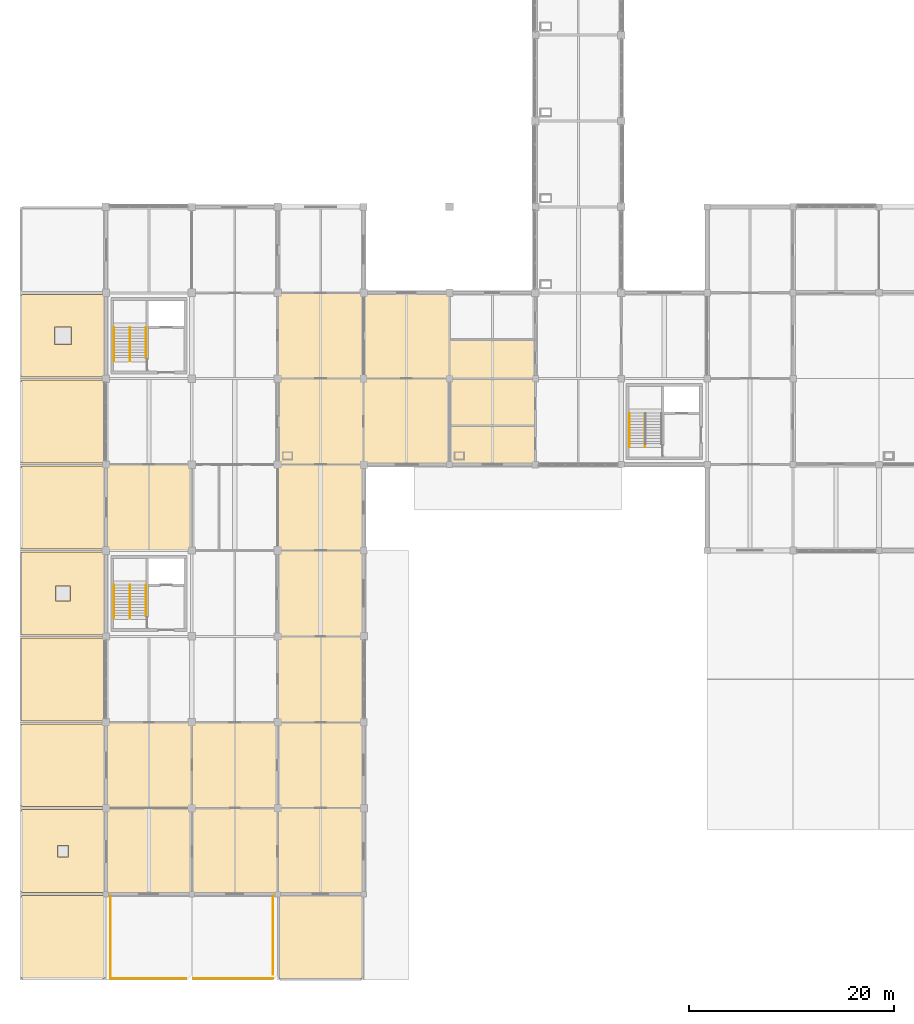
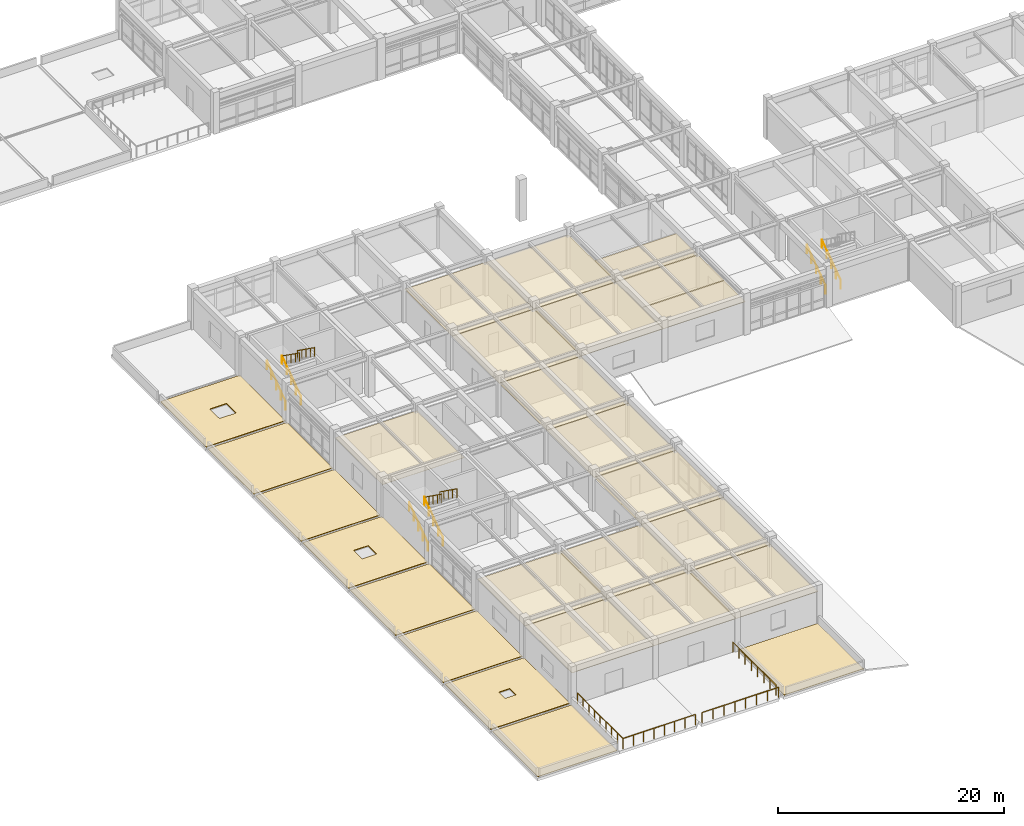
# One storey, part 75 of 78: 26 coverings, 14 railings.
"""IFC4 building model written with IfcOpenShell, lengths in metres."""

from ifc_helpers import new_model, si_unit, direction, frame, origin, origin_2d, place, context, subcontext, project, spatial, polyline, circle, outline, extrude, material, layer, layer_set, type_object, element, save


model = new_model("IFC4")

# Units and contexts
model_context = context("Model", 3, precision=1e-05, world=origin(), true_north=direction((0.0, 1.0)))
body_context = subcontext(model_context, "Body", "Model", "MODEL_VIEW")
ifc_project = project(units=[si_unit("LENGTHUNIT", "METRE"), si_unit("AREAUNIT", "SQUARE_METRE"), si_unit("VOLUMEUNIT", "CUBIC_METRE"), si_unit("PLANEANGLEUNIT", "RADIAN"), si_unit("MASSUNIT", "GRAM", prefix="KILO")], contexts=[model_context])

# Site, building, storey
site_placement = place(None, origin())
site = spatial("IfcSite", under=ifc_project, at=site_placement, CompositionType="ELEMENT")
building_placement = place(site_placement, origin())
building = spatial("IfcBuilding", under=site, at=building_placement, Name="Porcellanite Civic Hall", CompositionType="ELEMENT")
storey_placement = place(building_placement, frame((0.0, 0.0, 10.260009765625)))
storey = spatial("IfcBuildingStorey", under=building, at=storey_placement, Name="L02", CompositionType="ELEMENT", Elevation=10.260009765625)

# Coverings
ifc_material_1 = material(Name="Perforated acoustic mineral-fibre and spotted-gum batten ceiling")
ifc_layer_1 = layer(ifc_material_1, 0.034912109375)
ifc_layer_set_1 = layer_set([ifc_layer_1], Name="Perforated acoustic mineral-fibre and spotted-gum batten ceiling")
covering_type_1 = type_object("IfcCoveringType", Name="COV-CL2", PredefinedType="CEILING", material=ifc_layer_set_1)
covering_1_placement = place(storey_placement, frame((0.0, 0.0, 3.3349609375)))
element("IfcCovering", 1, at=covering_1_placement, inside=storey, type_object=covering_type_1, Name="Acoustic ceiling Standing Committee Suite L02-A", PredefinedType="CEILING", context=body_context, shape_type="SweptSolid", body=[
    extrude(outline(polyline([(42.010009765625, 50.409912109375), (50.389892578125, 50.409912109375), (50.389892578125, 54.18994140625), (42.010009765625, 54.18994140625), (42.010009765625, 50.409912109375)])), origin(), (0.0, 0.0, 1.0), 0.034912109375),
])
covering_2_placement = place(storey_placement, frame((0.0, 0.0, 3.3349609375)))
element("IfcCovering", 2, at=covering_2_placement, inside=storey, type_object=covering_type_1, Name="Acoustic ceiling Parliamentary Counsel Office L02-B", PredefinedType="CEILING", context=body_context, shape_type="SweptSolid", body=[
    extrude(outline(polyline([(42.010009765625, 54.2099609375), (50.389892578125, 54.2099609375), (50.389892578125, 58.7900390625), (42.010009765625, 58.7900390625), (42.010009765625, 54.2099609375)])), origin(), (0.0, 0.0, 1.0), 0.034912109375),
])
covering_3_placement = place(storey_placement, frame((0.0, 0.0, 3.3349609375)))
element("IfcCovering", 3, at=covering_3_placement, inside=storey, type_object=covering_type_1, Name="Acoustic ceiling Municipal Governance Office L02-A", PredefinedType="CEILING", context=body_context, shape_type="SweptSolid", body=[
    extrude(outline(polyline([(42.010009765625, 58.81005859375), (50.389892578125, 58.81005859375), (50.389892578125, 62.590087890625), (42.010009765625, 62.590087890625), (42.010009765625, 58.81005859375)])), origin(), (0.0, 0.0, 1.0), 0.034912109375),
])
covering_4_placement = place(storey_placement, frame((0.0, 0.0, 3.3349609375)))
element("IfcCovering", 4, at=covering_4_placement, inside=storey, type_object=covering_type_1, Name="Acoustic ceiling Hansard Witness Room L02-01", PredefinedType="CEILING", context=body_context, shape_type="SweptSolid", body=[
    extrude(outline(polyline([(8.409912109375, 8.409912109375), (16.7900390625, 8.409912109375), (16.7900390625, 16.7900390625), (8.409912109375, 16.7900390625), (8.409912109375, 8.409912109375)])), origin(), (0.0, 0.0, 1.0), 0.034912109375),
])
covering_5_placement = place(storey_placement, frame((0.0, 0.0, 3.3349609375)))
element("IfcCovering", 5, at=covering_5_placement, inside=storey, type_object=covering_type_1, Name="Acoustic ceiling Standing Committee Suite L02-02", PredefinedType="CEILING", context=body_context, shape_type="SweptSolid", body=[
    extrude(outline(polyline([(8.409912109375, 16.81005859375), (16.7900390625, 16.81005859375), (16.7900390625, 25.18994140625), (8.409912109375, 25.18994140625), (8.409912109375, 16.81005859375)])), origin(), (0.0, 0.0, 1.0), 0.034912109375),
])
covering_6_placement = place(storey_placement, frame((0.0, 0.0, 3.3349609375)))
element("IfcCovering", 6, at=covering_6_placement, inside=storey, type_object=covering_type_1, Name="Acoustic ceiling Standing Committee Suite L02-04", PredefinedType="CEILING", context=body_context, shape_type="SweptSolid", body=[
    extrude(outline(polyline([(8.409912109375, 42.010009765625), (16.7900390625, 42.010009765625), (16.7900390625, 50.389892578125), (8.409912109375, 50.389892578125), (8.409912109375, 42.010009765625)])), origin(), (0.0, 0.0, 1.0), 0.034912109375),
])
covering_7_placement = place(storey_placement, frame((0.0, 0.0, 3.3349609375)))
element("IfcCovering", 7, at=covering_7_placement, inside=storey, type_object=covering_type_1, Name="Acoustic ceiling Standing Committee Suite L02-07", PredefinedType="CEILING", context=body_context, shape_type="SweptSolid", body=[
    extrude(outline(polyline([(16.81005859375, 8.409912109375), (25.18994140625, 8.409912109375), (25.18994140625, 16.7900390625), (16.81005859375, 16.7900390625), (16.81005859375, 8.409912109375)])), origin(), (0.0, 0.0, 1.0), 0.034912109375),
])
covering_8_placement = place(storey_placement, frame((0.0, 0.0, 3.3349609375)))
element("IfcCovering", 8, at=covering_8_placement, inside=storey, type_object=covering_type_1, Name="Acoustic ceiling Committee Room L02-08", PredefinedType="CEILING", context=body_context, shape_type="SweptSolid", body=[
    extrude(outline(polyline([(16.81005859375, 16.81005859375), (25.18994140625, 16.81005859375), (25.18994140625, 25.18994140625), (16.81005859375, 25.18994140625), (16.81005859375, 16.81005859375)])), origin(), (0.0, 0.0, 1.0), 0.034912109375),
])
covering_9_placement = place(storey_placement, frame((0.0, 0.0, 3.3349609375)))
element("IfcCovering", 9, at=covering_9_placement, inside=storey, type_object=covering_type_1, Name="Acoustic ceiling Hansard Witness Room L02-14", PredefinedType="CEILING", context=body_context, shape_type="SweptSolid", body=[
    extrude(outline(polyline([(25.2099609375, 8.409912109375), (33.590087890625, 8.409912109375), (33.590087890625, 16.7900390625), (25.2099609375, 16.7900390625), (25.2099609375, 8.409912109375)])), origin(), (0.0, 0.0, 1.0), 0.034912109375),
])
covering_10_placement = place(storey_placement, frame((0.0, 0.0, 3.3349609375)))
element("IfcCovering", 10, at=covering_10_placement, inside=storey, type_object=covering_type_1, Name="Acoustic ceiling Standing Committee Suite L02-15", PredefinedType="CEILING", context=body_context, shape_type="SweptSolid", body=[
    extrude(outline(polyline([(25.2099609375, 16.81005859375), (33.590087890625, 16.81005859375), (33.590087890625, 25.18994140625), (25.2099609375, 25.18994140625), (25.2099609375, 16.81005859375)])), origin(), (0.0, 0.0, 1.0), 0.034912109375),
])
covering_11_placement = place(storey_placement, frame((0.0, 0.0, 3.3349609375)))
element("IfcCovering", 11, at=covering_11_placement, inside=storey, type_object=covering_type_1, Name="Acoustic ceiling Committee Room L02-16", PredefinedType="CEILING", context=body_context, shape_type="SweptSolid", body=[
    extrude(outline(polyline([(25.2099609375, 25.2099609375), (33.590087890625, 25.2099609375), (33.590087890625, 33.590087890625), (25.2099609375, 33.590087890625), (25.2099609375, 25.2099609375)])), origin(), (0.0, 0.0, 1.0), 0.034912109375),
])
covering_12_placement = place(storey_placement, frame((0.0, 0.0, 3.3349609375)))
element("IfcCovering", 12, at=covering_12_placement, inside=storey, type_object=covering_type_1, Name="Acoustic ceiling Select Committee Conference Room L02-17", PredefinedType="CEILING", context=body_context, shape_type="SweptSolid", body=[
    extrude(outline(polyline([(25.2099609375, 33.610107421875), (33.590087890625, 33.610107421875), (33.590087890625, 41.989990234375), (25.2099609375, 41.989990234375), (25.2099609375, 33.610107421875)])), origin(), (0.0, 0.0, 1.0), 0.034912109375),
])
covering_13_placement = place(storey_placement, frame((0.0, 0.0, 3.3349609375)))
element("IfcCovering", 13, at=covering_13_placement, inside=storey, type_object=covering_type_1, Name="Acoustic ceiling Public Hearing Room L02-18", PredefinedType="CEILING", context=body_context, shape_type="SweptSolid", body=[
    extrude(outline(polyline([(25.2099609375, 42.010009765625), (33.590087890625, 42.010009765625), (33.590087890625, 50.389892578125), (25.2099609375, 50.389892578125), (25.2099609375, 42.010009765625)])), origin(), (0.0, 0.0, 1.0), 0.034912109375),
])
covering_14_placement = place(storey_placement, frame((0.0, 0.0, 3.3349609375)))
element("IfcCovering", 14, at=covering_14_placement, inside=storey, type_object=covering_type_1, Name="Acoustic ceiling Hansard Witness Room L02-19", PredefinedType="CEILING", context=body_context, shape_type="SweptSolid", body=[
    extrude(outline(polyline([(25.2099609375, 50.409912109375), (33.590087890625, 50.409912109375), (33.590087890625, 58.7900390625), (25.2099609375, 58.7900390625), (25.2099609375, 50.409912109375)])), origin(), (0.0, 0.0, 1.0), 0.034912109375),
])
covering_15_placement = place(storey_placement, frame((0.0, 0.0, 3.3349609375)))
element("IfcCovering", 15, at=covering_15_placement, inside=storey, type_object=covering_type_1, Name="Acoustic ceiling Standing Committee Suite L02-20", PredefinedType="CEILING", context=body_context, shape_type="SweptSolid", body=[
    extrude(outline(polyline([(25.2099609375, 58.81005859375), (33.590087890625, 58.81005859375), (33.590087890625, 67.18994140625), (25.2099609375, 67.18994140625), (25.2099609375, 58.81005859375)])), origin(), (0.0, 0.0, 1.0), 0.034912109375),
])
covering_16_placement = place(storey_placement, frame((0.0, 0.0, 3.3349609375)))
element("IfcCovering", 16, at=covering_16_placement, inside=storey, type_object=covering_type_1, Name="Acoustic ceiling Select Committee Conference Room L02-24", PredefinedType="CEILING", context=body_context, shape_type="SweptSolid", body=[
    extrude(outline(polyline([(33.610107421875, 50.409912109375), (41.989990234375, 50.409912109375), (41.989990234375, 58.7900390625), (33.610107421875, 58.7900390625), (33.610107421875, 50.409912109375)])), origin(), (0.0, 0.0, 1.0), 0.034912109375),
])
covering_17_placement = place(storey_placement, frame((0.0, 0.0, 3.3349609375)))
element("IfcCovering", 17, at=covering_17_placement, inside=storey, type_object=covering_type_1, Name="Acoustic ceiling Public Hearing Room L02-25", PredefinedType="CEILING", context=body_context, shape_type="SweptSolid", body=[
    extrude(outline(polyline([(33.610107421875, 58.81005859375), (41.989990234375, 58.81005859375), (41.989990234375, 67.18994140625), (33.610107421875, 67.18994140625), (33.610107421875, 58.81005859375)])), origin(), (0.0, 0.0, 1.0), 0.034912109375),
])
ifc_material_2 = material(Name="Insulated light-reflective TPO monsoon roofing membrane")
ifc_layer_2 = layer(ifc_material_2, 0.080078125)
ifc_layer_set_2 = layer_set([ifc_layer_2], Name="Insulated light-reflective TPO monsoon roofing membrane")
covering_type_2 = type_object("IfcCoveringType", Name="COV-RF1", PredefinedType="ROOFING", material=ifc_layer_set_2)
covering_18_placement = place(storey_placement, origin())
element("IfcCovering", 18, at=covering_18_placement, inside=storey, type_object=covering_type_2, Name="Roof membrane L02 1-2", PredefinedType="ROOFING", context=body_context, shape_type="SweptSolid", body=[
    extrude(outline(polyline([(0.14990234375, 8.550048828125), (8.25, 8.550048828125), (8.25, 16.64990234375), (0.14990234375, 16.64990234375), (0.14990234375, 8.550048828125)]), holes=[polyline([(3.64990234375, 12.050048828125), (4.75, 12.050048828125), (4.75, 13.14990234375), (3.64990234375, 13.14990234375), (3.64990234375, 12.050048828125)])]), origin(), (0.0, 0.0, 1.0), 0.080078125),
])
covering_19_placement = place(storey_placement, origin())
element("IfcCovering", 19, at=covering_19_placement, inside=storey, type_object=covering_type_2, Name="Roof membrane L02 1-5", PredefinedType="ROOFING", context=body_context, shape_type="SweptSolid", body=[
    extrude(outline(polyline([(0.14990234375, 33.75), (8.25, 33.75), (8.25, 41.85009765625), (0.14990234375, 41.85009765625), (0.14990234375, 33.75)]), holes=[polyline([(3.449951171875, 37.050048828125), (4.949951171875, 37.050048828125), (4.949951171875, 38.550048828125), (3.449951171875, 38.550048828125), (3.449951171875, 37.050048828125)])]), origin(), (0.0, 0.0, 1.0), 0.080078125),
])
covering_20_placement = place(storey_placement, origin())
element("IfcCovering", 20, at=covering_20_placement, inside=storey, type_object=covering_type_2, Name="Roof membrane L02 1-8", PredefinedType="ROOFING", context=body_context, shape_type="SweptSolid", body=[
    extrude(outline(polyline([(0.14990234375, 58.949951171875), (8.25, 58.949951171875), (8.25, 67.050048828125), (0.14990234375, 67.050048828125), (0.14990234375, 58.949951171875)]), holes=[polyline([(3.35009765625, 62.14990234375), (5.050048828125, 62.14990234375), (5.050048828125, 63.85009765625), (3.35009765625, 63.85009765625), (3.35009765625, 62.14990234375)])]), origin(), (0.0, 0.0, 1.0), 0.080078125),
])
ifc_material_3 = material(Name="Insulated light-reflective TPO monsoon roofing membrane")
ifc_layer_3 = layer(ifc_material_3, 0.070068359375)
ifc_layer_set_3 = layer_set([ifc_layer_3], Name="Insulated light-reflective TPO monsoon roofing membrane")
covering_type_3 = type_object("IfcCoveringType", Name="COV-RF2", PredefinedType="ROOFING", material=ifc_layer_set_3)
covering_21_placement = place(storey_placement, origin())
element("IfcCovering", 21, at=covering_21_placement, inside=storey, type_object=covering_type_3, Name="Roof membrane L02 1-3", PredefinedType="ROOFING", context=body_context, shape_type="SweptSolid", body=[
    extrude(outline(polyline([(0.14990234375, 16.949951171875), (8.25, 16.949951171875), (8.25, 25.050048828125), (0.14990234375, 25.050048828125), (0.14990234375, 16.949951171875)])), origin(), (0.0, 0.0, 1.0), 0.070068359375),
])
covering_22_placement = place(storey_placement, origin())
element("IfcCovering", 22, at=covering_22_placement, inside=storey, type_object=covering_type_3, Name="Roof membrane L02 1-6", PredefinedType="ROOFING", context=body_context, shape_type="SweptSolid", body=[
    extrude(outline(polyline([(0.14990234375, 42.14990234375), (8.25, 42.14990234375), (8.25, 50.25), (0.14990234375, 50.25), (0.14990234375, 42.14990234375)])), origin(), (0.0, 0.0, 1.0), 0.070068359375),
])
covering_23_placement = place(storey_placement, origin())
element("IfcCovering", 23, at=covering_23_placement, inside=storey, type_object=covering_type_3, Name="Roof membrane L02 4-1", PredefinedType="ROOFING", context=body_context, shape_type="SweptSolid", body=[
    extrude(outline(polyline([(25.35009765625, 0.14990234375), (33.449951171875, 0.14990234375), (33.449951171875, 8.25), (25.35009765625, 8.25), (25.35009765625, 0.14990234375)])), origin(), (0.0, 0.0, 1.0), 0.070068359375),
])
ifc_material_4 = material(Name="Insulated light-reflective TPO monsoon roofing membrane")
ifc_layer_4 = layer(ifc_material_4, 0.06005859375)
ifc_layer_set_4 = layer_set([ifc_layer_4], Name="Insulated light-reflective TPO monsoon roofing membrane")
covering_type_4 = type_object("IfcCoveringType", Name="COV-RF3", PredefinedType="ROOFING", material=ifc_layer_set_4)
covering_24_placement = place(storey_placement, origin())
element("IfcCovering", 24, at=covering_24_placement, inside=storey, type_object=covering_type_4, Name="Roof membrane L02 1-1", PredefinedType="ROOFING", context=body_context, shape_type="SweptSolid", body=[
    extrude(outline(polyline([(0.14990234375, 0.14990234375), (8.25, 0.14990234375), (8.25, 8.25), (0.14990234375, 8.25), (0.14990234375, 0.14990234375)])), origin(), (0.0, 0.0, 1.0), 0.06005859375),
])
covering_25_placement = place(storey_placement, origin())
element("IfcCovering", 25, at=covering_25_placement, inside=storey, type_object=covering_type_4, Name="Roof membrane L02 1-4", PredefinedType="ROOFING", context=body_context, shape_type="SweptSolid", body=[
    extrude(outline(polyline([(0.14990234375, 25.35009765625), (8.25, 25.35009765625), (8.25, 33.449951171875), (0.14990234375, 33.449951171875), (0.14990234375, 25.35009765625)])), origin(), (0.0, 0.0, 1.0), 0.06005859375),
])
covering_26_placement = place(storey_placement, origin())
element("IfcCovering", 26, at=covering_26_placement, inside=storey, type_object=covering_type_4, Name="Roof membrane L02 1-7", PredefinedType="ROOFING", context=body_context, shape_type="SweptSolid", body=[
    extrude(outline(polyline([(0.14990234375, 50.550048828125), (8.25, 50.550048828125), (8.25, 58.64990234375), (0.14990234375, 58.64990234375), (0.14990234375, 50.550048828125)])), origin(), (0.0, 0.0, 1.0), 0.06005859375),
])

# Railings
ifc_material_5 = material(Name="Stainless steel 316", Category="steel")
railing_type_1 = type_object("IfcRailingType", Name="RL-BAL112", PredefinedType="BALUSTRADE", material=ifc_material_5)
railing_1_placement = place(storey_placement, frame((16.9599609375, 0.159912109375, 0.0)))
element("IfcRailing", 27, at=railing_1_placement, inside=storey, type_object=railing_type_1, Name="Terrace balustrade L02 S 3-1", PredefinedType="BALUSTRADE", context=body_context, shape_type="SweptSolid", body=[
    extrude(circle(Radius=0.02490234375, at=origin_2d()), frame((0.0, 0.0, 1.09521484375), z_axis=(1.0, 0.0, 0.0), x_axis=(0.0, 1.0, 0.0)), (0.0, 0.0, 1.0), 7.7900390625),
    extrude(circle(Radius=0.02197265625, at=origin_2d()), origin(), (0.0, 0.0, 1.0), 1.070068359375),
    extrude(circle(Radius=0.02197265625, at=origin_2d()), frame((1.11279296875, 0.0, 0.0)), (0.0, 0.0, 1.0), 1.070068359375),
    extrude(circle(Radius=0.02197265625, at=origin_2d()), frame((2.225830078125, 0.0, 0.0)), (0.0, 0.0, 1.0), 1.070068359375),
    extrude(circle(Radius=0.02197265625, at=origin_2d()), frame((3.338623046875, 0.0, 0.0)), (0.0, 0.0, 1.0), 1.070068359375),
    extrude(circle(Radius=0.02197265625, at=origin_2d()), frame((4.451416015625, 0.0, 0.0)), (0.0, 0.0, 1.0), 1.070068359375),
    extrude(circle(Radius=0.02197265625, at=origin_2d()), frame((5.564208984375, 0.0, 0.0)), (0.0, 0.0, 1.0), 1.070068359375),
    extrude(circle(Radius=0.02197265625, at=origin_2d()), frame((6.67724609375, 0.0, 0.0)), (0.0, 0.0, 1.0), 1.070068359375),
    extrude(circle(Radius=0.02197265625, at=origin_2d()), frame((7.7900390625, 0.0, 0.0)), (0.0, 0.0, 1.0), 1.070068359375),
])
railing_2_placement = place(storey_placement, frame((24.75, 0.550048828125, 0.0)))
element("IfcRailing", 28, at=railing_2_placement, inside=storey, type_object=railing_type_1, Name="Terrace balustrade L02 E 3-1", PredefinedType="BALUSTRADE", context=body_context, shape_type="SweptSolid", body=[
    extrude(circle(Radius=0.02490234375, at=origin_2d()), frame((0.0, 0.0, 1.09521484375), z_axis=(0.0, 1.0, 0.0), x_axis=(-1.0, 0.0, 0.0)), (0.0, 0.0, 1.0), 7.68994140625),
    extrude(circle(Radius=0.02197265625, at=origin_2d()), origin(), (0.0, 0.0, 1.0), 1.070068359375),
    extrude(circle(Radius=0.02197265625, at=origin_2d()), frame((0.0, 1.0986328125, 0.0)), (0.0, 0.0, 1.0), 1.070068359375),
    extrude(circle(Radius=0.02197265625, at=origin_2d()), frame((0.0, 2.197021484375, 0.0)), (0.0, 0.0, 1.0), 1.070068359375),
    extrude(circle(Radius=0.02197265625, at=origin_2d()), frame((0.0, 3.295654296875, 0.0)), (0.0, 0.0, 1.0), 1.070068359375),
    extrude(circle(Radius=0.02197265625, at=origin_2d()), frame((0.0, 4.394287109375, 0.0)), (0.0, 0.0, 1.0), 1.070068359375),
    extrude(circle(Radius=0.02197265625, at=origin_2d()), frame((0.0, 5.492919921875, 0.0)), (0.0, 0.0, 1.0), 1.070068359375),
    extrude(circle(Radius=0.02197265625, at=origin_2d()), frame((0.0, 6.59130859375, 0.0)), (0.0, 0.0, 1.0), 1.070068359375),
    extrude(circle(Radius=0.02197265625, at=origin_2d()), frame((0.0, 7.68994140625, 0.0)), (0.0, 0.0, 1.0), 1.070068359375),
])
ifc_material_6 = material(Name="Brushed stainless steel 316", Category="steel")
railing_type_2 = type_object("IfcRailingType", Name="RL-HR920", PredefinedType="HANDRAIL", material=ifc_material_6)
railing_3_placement = place(storey_placement, frame((9.18505859375, 35.324951171875, 0.0)))
element("IfcRailing", 29, at=railing_3_placement, inside=storey, type_object=railing_type_2, Name="Stair handrail ST-01 L02 1", PredefinedType="HANDRAIL", context=body_context, shape_type="SweptSolid", body=[
    extrude(circle(Radius=0.02197265625, at=origin_2d()), frame((0.0, 0.0, 0.89794921875), z_axis=(0.0, 0.815726678323, 0.578437538782), x_axis=(-1.0, 0.0, 0.0)), (0.0, 0.0, 1.0), 4.045654296875),
    extrude(circle(Radius=0.01904296875, at=origin_2d()), origin(), (0.0, 0.0, 1.0), 0.8759765625),
    extrude(circle(Radius=0.01904296875, at=origin_2d()), frame((0.0, 0.824951171875, 0.5849609375)), (0.0, 0.0, 1.0), 0.8759765625),
    extrude(circle(Radius=0.01904296875, at=origin_2d()), frame((0.0, 1.64990234375, 1.169921875)), (0.0, 0.0, 1.0), 0.8759765625),
    extrude(circle(Radius=0.01904296875, at=origin_2d()), frame((0.0, 2.47509765625, 1.755126953125)), (0.0, 0.0, 1.0), 0.8759765625),
    extrude(circle(Radius=0.01904296875, at=origin_2d()), frame((0.0, 3.300048828125, 2.340087890625)), (0.0, 0.0, 1.0), 0.8759765625),
])
railing_4_placement = place(storey_placement, frame((10.764892578125, 38.625, 2.340087890625)))
element("IfcRailing", 30, at=railing_4_placement, inside=storey, type_object=railing_type_2, Name="Stair handrail ST-01 L02 3", PredefinedType="HANDRAIL", context=body_context, shape_type="SweptSolid", body=[
    extrude(circle(Radius=0.02197265625, at=origin_2d()), frame((0.0, 0.0, 0.89794921875), z_axis=(0.0, -0.813826661234, 0.581107705564), x_axis=(1.0, 0.0, 0.0)), (0.0, 0.0, 1.0), 3.716796875),
    extrude(circle(Radius=0.01904296875, at=origin_2d()), origin(), (0.0, 0.0, 1.0), 0.8759765625),
    extrude(circle(Radius=0.01904296875, at=origin_2d()), frame((0.0, -0.75634765625, 0.5400390625)), (0.0, 0.0, 1.0), 0.8759765625),
    extrude(circle(Radius=0.01904296875, at=origin_2d()), frame((0.0, -1.512451171875, 1.080078125)), (0.0, 0.0, 1.0), 0.8759765625),
    extrude(circle(Radius=0.01904296875, at=origin_2d()), frame((0.0, -2.2685546875, 1.619873046875)), (0.0, 0.0, 1.0), 0.8759765625),
    extrude(circle(Radius=0.01904296875, at=origin_2d()), frame((0.0, -3.02490234375, 2.159912109375)), (0.0, 0.0, 1.0), 0.8759765625),
])
railing_5_placement = place(storey_placement, frame((9.18505859375, 60.52490234375, 0.0)))
element("IfcRailing", 31, at=railing_5_placement, inside=storey, type_object=railing_type_2, Name="Stair handrail ST-02 L02 1", PredefinedType="HANDRAIL", context=body_context, shape_type="SweptSolid", body=[
    extrude(circle(Radius=0.02197265625, at=origin_2d()), frame((0.0, 0.0, 0.89794921875), z_axis=(0.0, 0.815726678323, 0.578437538782), x_axis=(-1.0, 0.0, 0.0)), (0.0, 0.0, 1.0), 4.045654296875),
    extrude(circle(Radius=0.01904296875, at=origin_2d()), origin(), (0.0, 0.0, 1.0), 0.8759765625),
    extrude(circle(Radius=0.01904296875, at=origin_2d()), frame((0.0, 0.824951171875, 0.5849609375)), (0.0, 0.0, 1.0), 0.8759765625),
    extrude(circle(Radius=0.01904296875, at=origin_2d()), frame((0.0, 1.64990234375, 1.169921875)), (0.0, 0.0, 1.0), 0.8759765625),
    extrude(circle(Radius=0.01904296875, at=origin_2d()), frame((0.0, 2.47509765625, 1.755126953125)), (0.0, 0.0, 1.0), 0.8759765625),
    extrude(circle(Radius=0.01904296875, at=origin_2d()), frame((0.0, 3.300048828125, 2.340087890625)), (0.0, 0.0, 1.0), 0.8759765625),
])
railing_6_placement = place(storey_placement, frame((10.764892578125, 63.824951171875, 2.340087890625)))
element("IfcRailing", 32, at=railing_6_placement, inside=storey, type_object=railing_type_2, Name="Stair handrail ST-02 L02 3", PredefinedType="HANDRAIL", context=body_context, shape_type="SweptSolid", body=[
    extrude(circle(Radius=0.02197265625, at=origin_2d()), frame((0.0, 0.0, 0.89794921875), z_axis=(0.0, -0.813826661234, 0.581107705564), x_axis=(1.0, 0.0, 0.0)), (0.0, 0.0, 1.0), 3.716796875),
    extrude(circle(Radius=0.01904296875, at=origin_2d()), origin(), (0.0, 0.0, 1.0), 0.8759765625),
    extrude(circle(Radius=0.01904296875, at=origin_2d()), frame((0.0, -0.75634765625, 0.5400390625)), (0.0, 0.0, 1.0), 0.8759765625),
    extrude(circle(Radius=0.01904296875, at=origin_2d()), frame((0.0, -1.512451171875, 1.080078125)), (0.0, 0.0, 1.0), 0.8759765625),
    extrude(circle(Radius=0.01904296875, at=origin_2d()), frame((0.0, -2.2685546875, 1.619873046875)), (0.0, 0.0, 1.0), 0.8759765625),
    extrude(circle(Radius=0.01904296875, at=origin_2d()), frame((0.0, -3.02490234375, 2.159912109375)), (0.0, 0.0, 1.0), 0.8759765625),
])
railing_7_placement = place(storey_placement, frame((59.5849609375, 52.125, 0.0)))
element("IfcRailing", 33, at=railing_7_placement, inside=storey, type_object=railing_type_2, Name="Stair handrail ST-05 L02 1", PredefinedType="HANDRAIL", context=body_context, shape_type="SweptSolid", body=[
    extrude(circle(Radius=0.02197265625, at=origin_2d()), frame((0.0, 0.0, 0.89794921875), z_axis=(0.0, 0.815726678323, 0.578437538782), x_axis=(-1.0, 0.0, 0.0)), (0.0, 0.0, 1.0), 4.045654296875),
    extrude(circle(Radius=0.01904296875, at=origin_2d()), origin(), (0.0, 0.0, 1.0), 0.8759765625),
    extrude(circle(Radius=0.01904296875, at=origin_2d()), frame((0.0, 0.824951171875, 0.5849609375)), (0.0, 0.0, 1.0), 0.8759765625),
    extrude(circle(Radius=0.01904296875, at=origin_2d()), frame((0.0, 1.64990234375, 1.169921875)), (0.0, 0.0, 1.0), 0.8759765625),
    extrude(circle(Radius=0.01904296875, at=origin_2d()), frame((0.0, 2.47509765625, 1.755126953125)), (0.0, 0.0, 1.0), 0.8759765625),
    extrude(circle(Radius=0.01904296875, at=origin_2d()), frame((0.0, 3.300048828125, 2.340087890625)), (0.0, 0.0, 1.0), 0.8759765625),
])
ifc_material_7 = material(Name="Brushed stainless steel 316", Category="steel")
railing_type_3 = type_object("IfcRailingType", Name="RL-HR950", PredefinedType="HANDRAIL", material=ifc_material_7)
railing_8_placement = place(storey_placement, frame((10.735107421875, 35.324951171875, 0.0)))
element("IfcRailing", 34, at=railing_8_placement, inside=storey, type_object=railing_type_3, Name="Stair handrail ST-01 L02 2", PredefinedType="HANDRAIL", context=body_context, shape_type="SweptSolid", body=[
    extrude(circle(Radius=0.02197265625, at=origin_2d()), frame((0.0, 0.0, 0.927978515625), z_axis=(0.0, 0.815726678323, 0.578437538782), x_axis=(-1.0, 0.0, 0.0)), (0.0, 0.0, 1.0), 4.045654296875),
    extrude(circle(Radius=0.01904296875, at=origin_2d()), origin(), (0.0, 0.0, 1.0), 0.906005859375),
    extrude(circle(Radius=0.01904296875, at=origin_2d()), frame((0.0, 0.824951171875, 0.5849609375)), (0.0, 0.0, 1.0), 0.906005859375),
    extrude(circle(Radius=0.01904296875, at=origin_2d()), frame((0.0, 1.64990234375, 1.169921875)), (0.0, 0.0, 1.0), 0.906005859375),
    extrude(circle(Radius=0.01904296875, at=origin_2d()), frame((0.0, 2.47509765625, 1.755126953125)), (0.0, 0.0, 1.0), 0.906005859375),
    extrude(circle(Radius=0.01904296875, at=origin_2d()), frame((0.0, 3.300048828125, 2.340087890625)), (0.0, 0.0, 1.0), 0.906005859375),
])
railing_9_placement = place(storey_placement, frame((12.31494140625, 38.625, 2.340087890625)))
element("IfcRailing", 35, at=railing_9_placement, inside=storey, type_object=railing_type_3, Name="Stair handrail ST-01 L02 4", PredefinedType="HANDRAIL", context=body_context, shape_type="SweptSolid", body=[
    extrude(circle(Radius=0.02197265625, at=origin_2d()), frame((0.0, 0.0, 0.927978515625), z_axis=(0.0, -0.813826661234, 0.581107705564), x_axis=(1.0, 0.0, 0.0)), (0.0, 0.0, 1.0), 3.716796875),
    extrude(circle(Radius=0.01904296875, at=origin_2d()), origin(), (0.0, 0.0, 1.0), 0.906005859375),
    extrude(circle(Radius=0.01904296875, at=origin_2d()), frame((0.0, -0.75634765625, 0.5400390625)), (0.0, 0.0, 1.0), 0.906005859375),
    extrude(circle(Radius=0.01904296875, at=origin_2d()), frame((0.0, -1.512451171875, 1.080078125)), (0.0, 0.0, 1.0), 0.906005859375),
    extrude(circle(Radius=0.01904296875, at=origin_2d()), frame((0.0, -2.2685546875, 1.619873046875)), (0.0, 0.0, 1.0), 0.906005859375),
    extrude(circle(Radius=0.01904296875, at=origin_2d()), frame((0.0, -3.02490234375, 2.159912109375)), (0.0, 0.0, 1.0), 0.906005859375),
])
railing_10_placement = place(storey_placement, frame((10.735107421875, 60.52490234375, 0.0)))
element("IfcRailing", 36, at=railing_10_placement, inside=storey, type_object=railing_type_3, Name="Stair handrail ST-02 L02 2", PredefinedType="HANDRAIL", context=body_context, shape_type="SweptSolid", body=[
    extrude(circle(Radius=0.02197265625, at=origin_2d()), frame((0.0, 0.0, 0.927978515625), z_axis=(0.0, 0.815726678323, 0.578437538782), x_axis=(-1.0, 0.0, 0.0)), (0.0, 0.0, 1.0), 4.045654296875),
    extrude(circle(Radius=0.01904296875, at=origin_2d()), origin(), (0.0, 0.0, 1.0), 0.906005859375),
    extrude(circle(Radius=0.01904296875, at=origin_2d()), frame((0.0, 0.824951171875, 0.5849609375)), (0.0, 0.0, 1.0), 0.906005859375),
    extrude(circle(Radius=0.01904296875, at=origin_2d()), frame((0.0, 1.64990234375, 1.169921875)), (0.0, 0.0, 1.0), 0.906005859375),
    extrude(circle(Radius=0.01904296875, at=origin_2d()), frame((0.0, 2.47509765625, 1.755126953125)), (0.0, 0.0, 1.0), 0.906005859375),
    extrude(circle(Radius=0.01904296875, at=origin_2d()), frame((0.0, 3.300048828125, 2.340087890625)), (0.0, 0.0, 1.0), 0.906005859375),
])
railing_11_placement = place(storey_placement, frame((12.31494140625, 63.824951171875, 2.340087890625)))
element("IfcRailing", 37, at=railing_11_placement, inside=storey, type_object=railing_type_3, Name="Stair handrail ST-02 L02 4", PredefinedType="HANDRAIL", context=body_context, shape_type="SweptSolid", body=[
    extrude(circle(Radius=0.02197265625, at=origin_2d()), frame((0.0, 0.0, 0.927978515625), z_axis=(0.0, -0.813826661234, 0.581107705564), x_axis=(1.0, 0.0, 0.0)), (0.0, 0.0, 1.0), 3.716796875),
    extrude(circle(Radius=0.01904296875, at=origin_2d()), origin(), (0.0, 0.0, 1.0), 0.906005859375),
    extrude(circle(Radius=0.01904296875, at=origin_2d()), frame((0.0, -0.75634765625, 0.5400390625)), (0.0, 0.0, 1.0), 0.906005859375),
    extrude(circle(Radius=0.01904296875, at=origin_2d()), frame((0.0, -1.512451171875, 1.080078125)), (0.0, 0.0, 1.0), 0.906005859375),
    extrude(circle(Radius=0.01904296875, at=origin_2d()), frame((0.0, -2.2685546875, 1.619873046875)), (0.0, 0.0, 1.0), 0.906005859375),
    extrude(circle(Radius=0.01904296875, at=origin_2d()), frame((0.0, -3.02490234375, 2.159912109375)), (0.0, 0.0, 1.0), 0.906005859375),
])
railing_12_placement = place(storey_placement, frame((61.135009765625, 52.125, 0.0)))
element("IfcRailing", 38, at=railing_12_placement, inside=storey, type_object=railing_type_3, Name="Stair handrail ST-05 L02 2", PredefinedType="HANDRAIL", context=body_context, shape_type="SweptSolid", body=[
    extrude(circle(Radius=0.02197265625, at=origin_2d()), frame((0.0, 0.0, 0.927978515625), z_axis=(0.0, 0.815726678323, 0.578437538782), x_axis=(-1.0, 0.0, 0.0)), (0.0, 0.0, 1.0), 4.045654296875),
    extrude(circle(Radius=0.01904296875, at=origin_2d()), origin(), (0.0, 0.0, 1.0), 0.906005859375),
    extrude(circle(Radius=0.01904296875, at=origin_2d()), frame((0.0, 0.824951171875, 0.5849609375)), (0.0, 0.0, 1.0), 0.906005859375),
    extrude(circle(Radius=0.01904296875, at=origin_2d()), frame((0.0, 1.64990234375, 1.169921875)), (0.0, 0.0, 1.0), 0.906005859375),
    extrude(circle(Radius=0.01904296875, at=origin_2d()), frame((0.0, 2.47509765625, 1.755126953125)), (0.0, 0.0, 1.0), 0.906005859375),
    extrude(circle(Radius=0.01904296875, at=origin_2d()), frame((0.0, 3.300048828125, 2.340087890625)), (0.0, 0.0, 1.0), 0.906005859375),
])
ifc_material_8 = material(Name="Anodised aluminium 6063-T6", Category="aluminium")
railing_type_4 = type_object("IfcRailingType", Name="RL-TER115", PredefinedType="BALUSTRADE", material=ifc_material_8)
railing_13_placement = place(storey_placement, frame((8.85009765625, 0.159912109375, 0.0)))
element("IfcRailing", 39, at=railing_13_placement, inside=storey, type_object=railing_type_4, Name="Terrace balustrade L02 S 2-1", PredefinedType="BALUSTRADE", context=body_context, shape_type="SweptSolid", body=[
    extrude(circle(Radius=0.02490234375, at=origin_2d()), frame((0.0, 0.0, 1.125), z_axis=(1.0, 0.0, 0.0), x_axis=(0.0, 1.0, 0.0)), (0.0, 0.0, 1.0), 7.39990234375),
    extrude(circle(Radius=0.02197265625, at=origin_2d()), origin(), (0.0, 0.0, 1.0), 1.099853515625),
    extrude(circle(Radius=0.02197265625, at=origin_2d()), frame((1.05712890625, 0.0, 0.0)), (0.0, 0.0, 1.0), 1.099853515625),
    extrude(circle(Radius=0.02197265625, at=origin_2d()), frame((2.1142578125, 0.0, 0.0)), (0.0, 0.0, 1.0), 1.099853515625),
    extrude(circle(Radius=0.02197265625, at=origin_2d()), frame((3.17138671875, 0.0, 0.0)), (0.0, 0.0, 1.0), 1.099853515625),
    extrude(circle(Radius=0.02197265625, at=origin_2d()), frame((4.228515625, 0.0, 0.0)), (0.0, 0.0, 1.0), 1.099853515625),
    extrude(circle(Radius=0.02197265625, at=origin_2d()), frame((5.28564453125, 0.0, 0.0)), (0.0, 0.0, 1.0), 1.099853515625),
    extrude(circle(Radius=0.02197265625, at=origin_2d()), frame((6.3427734375, 0.0, 0.0)), (0.0, 0.0, 1.0), 1.099853515625),
    extrude(circle(Radius=0.02197265625, at=origin_2d()), frame((7.39990234375, 0.0, 0.0)), (0.0, 0.0, 1.0), 1.099853515625),
])
railing_14_placement = place(storey_placement, frame((8.85009765625, 0.159912109375, 0.0)))
element("IfcRailing", 40, at=railing_14_placement, inside=storey, type_object=railing_type_4, Name="Terrace balustrade L02 W 2-1", PredefinedType="BALUSTRADE", context=body_context, shape_type="SweptSolid", body=[
    extrude(circle(Radius=0.02490234375, at=origin_2d()), frame((0.0, 0.0, 1.125), z_axis=(0.0, 1.0, 0.0), x_axis=(-1.0, 0.0, 0.0)), (0.0, 0.0, 1.0), 8.080078125),
    extrude(circle(Radius=0.02197265625, at=origin_2d()), origin(), (0.0, 0.0, 1.0), 1.099853515625),
    extrude(circle(Radius=0.02197265625, at=origin_2d()), frame((0.0, 1.010009765625, 0.0)), (0.0, 0.0, 1.0), 1.099853515625),
    extrude(circle(Radius=0.02197265625, at=origin_2d()), frame((0.0, 2.02001953125, 0.0)), (0.0, 0.0, 1.0), 1.099853515625),
    extrude(circle(Radius=0.02197265625, at=origin_2d()), frame((0.0, 3.030029296875, 0.0)), (0.0, 0.0, 1.0), 1.099853515625),
    extrude(circle(Radius=0.02197265625, at=origin_2d()), frame((0.0, 4.0400390625, 0.0)), (0.0, 0.0, 1.0), 1.099853515625),
    extrude(circle(Radius=0.02197265625, at=origin_2d()), frame((0.0, 5.050048828125, 0.0)), (0.0, 0.0, 1.0), 1.099853515625),
    extrude(circle(Radius=0.02197265625, at=origin_2d()), frame((0.0, 6.06005859375, 0.0)), (0.0, 0.0, 1.0), 1.099853515625),
    extrude(circle(Radius=0.02197265625, at=origin_2d()), frame((0.0, 7.070068359375, 0.0)), (0.0, 0.0, 1.0), 1.099853515625),
    extrude(circle(Radius=0.02197265625, at=origin_2d()), frame((0.0, 8.080078125, 0.0)), (0.0, 0.0, 1.0), 1.099853515625),
])

save(model, "model.ifc")
